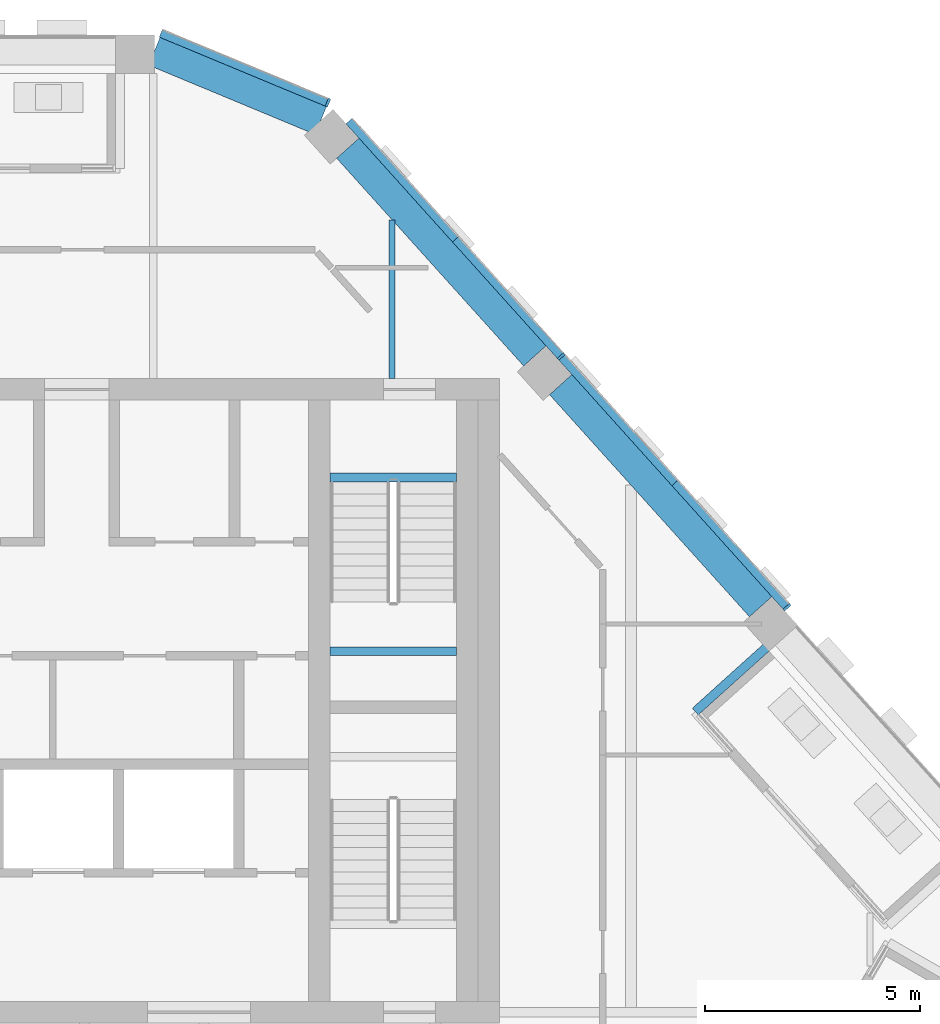
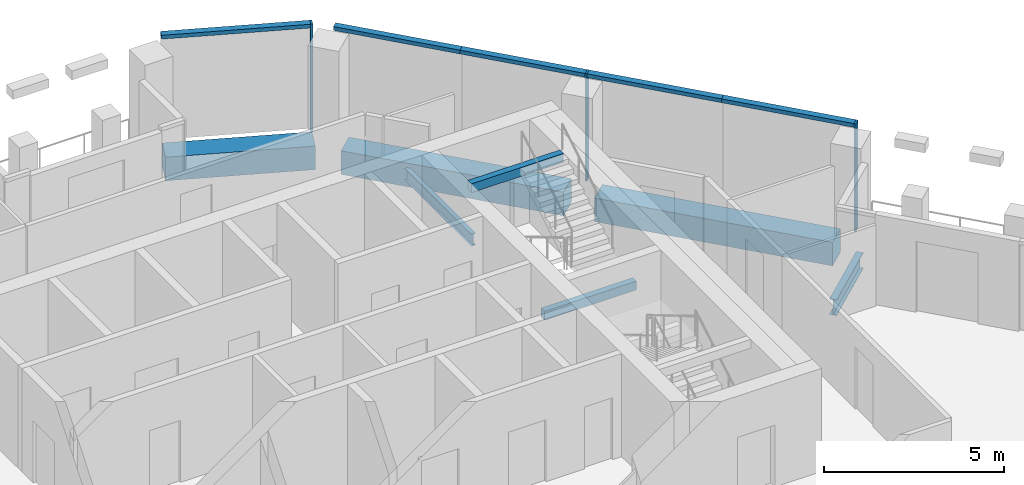
# One storey, part 8 of 22: 8 members, 7 beams, 2 elements without a shape of their own.
"""IFC4 building model written with IfcOpenShell, lengths in metres."""

import ifcopenshell
import ifcopenshell.guid

model = None  # the IFC model being written
_history = None  # IfcOwnerHistory: only IFC2X3 demands one
_inside = {}  # id of a spatial element -> (the spatial element, [elements in it])
_under = {}  # id of a project, library or spatial element -> (it, [spatial elements below it])
_declared = {}  # id of a project -> (the project, [libraries it declares])
_typed = {}  # id of a type object -> (the type object, [elements of that type])
_made_of = {}  # id of a material, layer set ... -> (it, [elements and type objects made of it])


def new_model(schema):
    """Start an empty IFC model of exactly this schema.

    Asked for "IFC4X3", IfcOpenShell would pick the latest addendum, in which some entities
    have other attributes; the version numbers below select the first issue.
    IFC2X3 requires an IfcOwnerHistory on every rooted entity: one is made here for all.
    """
    global model, _history
    if schema == "IFC4X3":
        model = ifcopenshell.file(schema_version=(4, 3, 0, 0))
    else:
        model = ifcopenshell.file(schema=schema)
    _inside.clear()
    _under.clear()
    _declared.clear()
    _typed.clear()
    _made_of.clear()
    _history = None
    if model.schema == "IFC2X3":
        org = make("IfcOrganization", Name="unknown")
        user = make(
            "IfcPersonAndOrganization",
            ThePerson=make("IfcPerson", FamilyName="unknown"),
            TheOrganization=org,
        )
        app = make(
            "IfcApplication",
            ApplicationDeveloper=org,
            Version="unknown",
            ApplicationFullName="unknown",
            ApplicationIdentifier="unknown",
        )
        _history = make(
            "IfcOwnerHistory",
            OwningUser=user,
            OwningApplication=app,
            ChangeAction="ADDED",
            CreationDate=0,
        )
    return model


def make(cls, **values):
    """One entity of the class cls with the attributes given. An attribute that is None is left unset."""
    return model.create_entity(
        cls, **{name: value for name, value in values.items() if value is not None}
    )


def rooted(cls, **values):
    """An entity with a GlobalId (a new one), such as an element, a storey or a relation."""
    return make(cls, GlobalId=ifcopenshell.guid.new(), OwnerHistory=_history, **values)


def si_unit(unit_type, name, prefix=None):
    """IfcSIUnit, for example si_unit("LENGTHUNIT", "METRE", prefix="MILLI")."""
    return make("IfcSIUnit", UnitType=unit_type, Prefix=prefix, Name=name)


def assignment(units):
    """IfcUnitAssignment: the units of a project."""
    return None if units is None else make("IfcUnitAssignment", Units=units)


def point(xyz):
    """IfcCartesianPoint."""
    return None if xyz is None else make("IfcCartesianPoint", Coordinates=xyz)


def direction(xyz):
    """IfcDirection."""
    return None if xyz is None else make("IfcDirection", DirectionRatios=xyz)


def frame(location, z_axis=None, x_axis=None):
    """IfcAxis2Placement3D, a coordinate frame: its origin and axes. An axis left out is left unset."""
    return make(
        "IfcAxis2Placement3D",
        Location=point(location),
        Axis=direction(z_axis),
        RefDirection=direction(x_axis),
    )


def frame_2d(location, x_axis=None):
    """IfcAxis2Placement2D, a coordinate frame in the plane: its origin and x axis."""
    return make(
        "IfcAxis2Placement2D", Location=point(location), RefDirection=direction(x_axis)
    )


def origin():
    """The frame at (0, 0, 0) with its axes left unset."""
    return frame((0.0, 0.0, 0.0))


def origin_2d():
    """The frame at (0, 0) in the plane with its x axis left unset."""
    return frame_2d((0.0, 0.0))


def place(relative_to, where):
    """IfcLocalPlacement: puts the frame where relative to a parent placement (None: the world)."""
    return make(
        "IfcLocalPlacement", PlacementRelTo=relative_to, RelativePlacement=where
    )


def context(
    kind, dimensions, precision=None, world=None, true_north=None, identifier=None
):
    """IfcGeometricRepresentationContext, for example the 3D "Model" context."""
    return make(
        "IfcGeometricRepresentationContext",
        ContextIdentifier=identifier,
        ContextType=kind,
        CoordinateSpaceDimension=dimensions,
        Precision=precision,
        WorldCoordinateSystem=world,
        TrueNorth=true_north,
    )


def subcontext(parent, identifier, kind, view, scale=None):
    """IfcGeometricRepresentationSubContext, for example "Body" below "Model"."""
    return make(
        "IfcGeometricRepresentationSubContext",
        ContextIdentifier=identifier,
        ContextType=kind,
        ParentContext=parent,
        TargetScale=scale,
        TargetView=view,
    )


def project(units=None, contexts=None):
    """IfcProject with its units and contexts."""
    return rooted(
        "IfcProject",
        Name="project",
        RepresentationContexts=contexts,
        UnitsInContext=assignment(units),
    )


def spatial(cls, under=None, at=None, **own):
    """A site, building, storey or space (cls), placed at a placement, below another one or the project."""
    s = rooted(cls, ObjectPlacement=at, **own)
    if under is not None:
        _under.setdefault(under.id(), (under, []))[1].append(s)
    return s


def profile(cls, at=None, kind="AREA", **sizes):
    """A parametric profile (cls). Its sizes go by their IFC names, for example OverallWidth=200.0."""
    return make(cls, ProfileType=kind, Position=at, **sizes)


def rectangle(**sizes):
    """IfcRectangleProfileDef."""
    return profile("IfcRectangleProfileDef", **sizes)


def i_section(**sizes):
    """IfcIShapeProfileDef."""
    return profile("IfcIShapeProfileDef", **sizes)


def extrude(swept, where, along, depth):
    """IfcExtrudedAreaSolid: the profile swept, set in the frame where, extruded along a direction by depth."""
    return make(
        "IfcExtrudedAreaSolid",
        SweptArea=swept,
        Position=where,
        ExtrudedDirection=direction(along),
        Depth=depth,
    )


def shape(context_of_items, identifier, shape_type, items):
    """IfcShapeRepresentation: the items that make up one representation, for example the "Body"."""
    return make(
        "IfcShapeRepresentation",
        ContextOfItems=context_of_items,
        RepresentationIdentifier=identifier,
        RepresentationType=shape_type,
        Items=items,
    )


def material(Name=None, Category=None):
    """IfcMaterial."""
    return make("IfcMaterial", Name=Name, Category=Category)


def layer(
    of_material, thickness, ventilated=None, Name=None, Category=None, Priority=None
):
    """IfcMaterialLayer: one layer of a wall or slab, of a material (None: an air gap)."""
    return make(
        "IfcMaterialLayer",
        Material=of_material,
        LayerThickness=thickness,
        IsVentilated=ventilated,
        Name=Name,
        Category=Category,
        Priority=Priority,
    )


def layer_set(layers, Name=None):
    """IfcMaterialLayerSet."""
    return make("IfcMaterialLayerSet", MaterialLayers=layers, LayerSetName=Name)


def material_profile(
    of_material, cross_section, Name=None, Category=None, Priority=None
):
    """IfcMaterialProfile: a cross section and its material."""
    return make(
        "IfcMaterialProfile",
        Name=Name,
        Material=of_material,
        Profile=cross_section,
        Priority=Priority,
        Category=Category,
    )


def profile_set(profiles, Name=None, composite=None):
    """IfcMaterialProfileSet."""
    return make(
        "IfcMaterialProfileSet",
        Name=Name,
        MaterialProfiles=profiles,
        CompositeProfile=composite,
    )


def made_of(thing, what):
    """Note that an element or type object is made of a material, layer set ...; save() writes the relation."""
    if what is not None:
        _made_of.setdefault(what.id(), (what, []))[1].append(thing)
    return thing


def type_object(cls, material=None, **own):
    """A type object (cls), such as IfcWallType, which elements share."""
    return made_of(rooted(cls, **own), material)


def element(
    cls,
    number,
    at=None,
    inside=None,
    cuts=None,
    type_object=None,
    material=None,
    context=None,
    identifier="Body",
    shape_type=None,
    held_by="IfcProductDefinitionShape",
    body=None,
    shapes=None,
    **own,
):
    """One element of the class cls, such as IfcWall. Its Tag is "e" and its number.

    at: its placement. inside: the storey or other place that contains it. cuts: it is an
    opening in that element (IfcRelVoidsElement). A single representation is given by context,
    identifier, shape_type and body (its items); several are given by shapes. held_by: the class
    of the entity that holds the representations. save() writes the other relations.
    """
    e = rooted(cls, Tag="e%d" % number, ObjectPlacement=at, **own)
    if body is not None:
        shapes = [shape(context, identifier, shape_type, body)]
    if shapes is not None:
        e.Representation = make(held_by, Representations=shapes)
    if inside is not None:
        _inside.setdefault(inside.id(), (inside, []))[1].append(e)
    if cuts is not None:
        rooted(
            "IfcRelVoidsElement", RelatingBuildingElement=cuts, RelatedOpeningElement=e
        )
    if type_object is not None:
        _typed.setdefault(type_object.id(), (type_object, []))[1].append(e)
    return made_of(e, material)


def aggregate(whole, parts):
    """IfcRelAggregates: a whole, such as a stair, and the parts it consists of."""
    return rooted("IfcRelAggregates", RelatingObject=whole, RelatedObjects=parts)


def save(model, path):
    """Write the relations noted so far, then the file.

    IfcRelAggregates (storeys below a building ...), IfcRelContainedInSpatialStructure (elements
    in a storey), IfcRelDefinesByType, IfcRelAssociatesMaterial and IfcRelDeclares: one each for
    every whole, place, type object, material and project.
    """
    for whole, parts in _under.values():
        aggregate(whole, parts)
    for where, things in _inside.values():
        rooted(
            "IfcRelContainedInSpatialStructure",
            RelatedElements=things,
            RelatingStructure=where,
        )
    for kind, things in _typed.values():
        rooted("IfcRelDefinesByType", RelatedObjects=things, RelatingType=kind)
    for what, things in _made_of.values():
        rooted("IfcRelAssociatesMaterial", RelatedObjects=things, RelatingMaterial=what)
    for by, libraries in _declared.values():
        rooted("IfcRelDeclares", RelatingContext=by, RelatedDefinitions=libraries)
    model.write(path)


model = new_model("IFC4")

# Units and contexts
model_context = context("Model", 3, precision=1e-05, world=origin(), true_north=direction((0.0, 1.0)))
body_context = subcontext(model_context, "Body", "Model", "MODEL_VIEW")
ifc_project = project(units=[si_unit("LENGTHUNIT", "METRE"), si_unit("AREAUNIT", "SQUARE_METRE"), si_unit("VOLUMEUNIT", "CUBIC_METRE"), si_unit("PLANEANGLEUNIT", "RADIAN"), si_unit("MASSUNIT", "GRAM", prefix="KILO")], contexts=[model_context])

# Site, building, storey
site_placement = place(None, origin())
site = spatial("IfcSite", under=ifc_project, at=site_placement, CompositionType="ELEMENT")
building_placement = place(site_placement, origin())
building = spatial("IfcBuilding", under=site, at=building_placement, Name="Isthmus Gate Tower", CompositionType="ELEMENT")
storey_placement = place(building_placement, frame((0.0, 0.0, 264.60009765625)))
storey = spatial("IfcBuildingStorey", under=building, at=storey_placement, Name="L67", CompositionType="ELEMENT", Elevation=264.60009765625)

# Curtain wall, members
ifc_material_1 = material(Name="Aluminium, pale champagne anodised", Category="aluminium")
ifc_layer = layer(ifc_material_1, 0.199951171875)
ifc_layer_set = layer_set([ifc_layer], Name="CW-1 UNITISED CURTAIN WALL 200 DEEP")
curtain_wall_type = type_object("IfcCurtainWallType", Name="CW-1 UNITISED CURTAIN WALL 200 DEEP", PredefinedType="NOTDEFINED", material=ifc_layer_set)
curtain_wall_1_placement = place(storey_placement, origin())
curtain_wall_1 = element("IfcCurtainWall", 1, at=curtain_wall_1_placement, inside=storey, type_object=curtain_wall_type, Name="CW-1 NE L67", PredefinedType="NOTDEFINED")
ifc_material_2 = material(Name="Aluminium, pale champagne anodised", Category="aluminium")
ifc_material_profile_1 = material_profile(ifc_material_2, rectangle(XDim=0.06005859375, YDim=0.199951171875, at=origin_2d()), Name="60x200")
ifc_profile_set_1 = profile_set([ifc_material_profile_1], Name="Aluminium, pale champagne anodised")
member_type_1 = type_object("IfcMemberType", Name="CW-1 MULLION 60 X 200", PredefinedType="MULLION", material=ifc_profile_set_1)
member_1_placement = place(storey_placement, frame((21.69140625, 9.680419921875, 0.0), z_axis=(0.0, 0.0, 1.0), x_axis=(-0.669130606359, 0.743144825477, 0.0)))
member_1 = element("IfcMember", 2, at=member_1_placement, type_object=member_type_1, Name="CW-1 mullion", PredefinedType="MULLION", context=body_context, shape_type="SweptSolid", body=[
    extrude(rectangle(XDim=0.06005859375, YDim=0.199951171875, at=origin_2d()), origin(), (0.0, 0.0, 1.0), 3.64990234375),
])
member_2_placement = place(storey_placement, frame((16.43408203125, 15.519287109375, 0.0), z_axis=(0.0, 0.0, 1.0), x_axis=(-0.669130606359, 0.743144825477, 0.0)))
member_2 = element("IfcMember", 3, at=member_2_placement, type_object=member_type_1, Name="CW-1 mullion", PredefinedType="MULLION", context=body_context, shape_type="SweptSolid", body=[
    extrude(rectangle(XDim=0.06005859375, YDim=0.199951171875, at=origin_2d()), origin(), (0.0, 0.0, 1.0), 3.64990234375),
])

# Curtain wall, member
curtain_wall_2_placement = place(storey_placement, origin())
curtain_wall_2 = element("IfcCurtainWall", 4, at=curtain_wall_2_placement, inside=storey, type_object=curtain_wall_type, Name="CW-1 NE-N L67", PredefinedType="NOTDEFINED")
member_3_placement = place(storey_placement, frame((11.001708984375, 21.427490234375, 0.0), z_axis=(0.0, 0.0, 1.0), x_axis=(-0.923353128387, 0.383951820282, 0.0)))
member_3 = element("IfcMember", 5, at=member_3_placement, type_object=member_type_1, Name="CW-1 mullion", PredefinedType="MULLION", context=body_context, shape_type="SweptSolid", body=[
    extrude(rectangle(XDim=0.06005859375, YDim=0.199951171875, at=origin_2d()), origin(), (0.0, 0.0, 1.0), 3.64990234375),
])

# Member
ifc_material_3 = material(Name="Aluminium, pale champagne anodised", Category="aluminium")
ifc_material_profile_2 = material_profile(ifc_material_3, rectangle(XDim=0.199951171875, YDim=0.1298828125, at=origin_2d()), Name="200x130")
ifc_profile_set_2 = profile_set([ifc_material_profile_2], Name="Aluminium, pale champagne anodised")
member_type_2 = type_object("IfcMemberType", Name="CW-1 TRANSOM 200 X 130", PredefinedType="USERDEFINED", material=ifc_profile_set_2)
member_4_placement = place(storey_placement, frame((21.67138671875, 9.702880859375, 3.5849609375), z_axis=(-0.669156480406, 0.743121527565, 0.0), x_axis=(-0.743121527565, -0.669156480406, 0.0)))
member_4 = element("IfcMember", 6, at=member_4_placement, type_object=member_type_2, Name="CW-1 transom", ObjectType="TRANSOM", PredefinedType="USERDEFINED", context=body_context, shape_type="SweptSolid", body=[
    extrude(rectangle(XDim=0.199951171875, YDim=0.1298828125, at=origin_2d()), origin(), (0.0, 0.0, 1.0), 3.868408203125),
])

member_5_placement = place(storey_placement, frame((19.082763671875, 12.57763671875, 3.5849609375), z_axis=(-0.669095199697, 0.743176704252, 0.0), x_axis=(-0.743176704252, -0.669095199697, 0.0)))
member_5 = element("IfcMember", 7, at=member_5_placement, type_object=member_type_2, Name="CW-1 transom", ObjectType="TRANSOM", PredefinedType="USERDEFINED", context=body_context, shape_type="SweptSolid", body=[
    extrude(rectangle(XDim=0.199951171875, YDim=0.1298828125, at=origin_2d()), origin(), (0.0, 0.0, 1.0), 3.92822265625),
])

member_6_placement = place(storey_placement, frame((16.4140625, 15.54150390625, 3.5849609375), z_axis=(-0.669116497993, 0.743157528464, 0.0), x_axis=(-0.743157528464, -0.669116497993, 0.0)))
member_6 = element("IfcMember", 8, at=member_6_placement, type_object=member_type_2, Name="CW-1 transom", ObjectType="TRANSOM", PredefinedType="USERDEFINED", context=body_context, shape_type="SweptSolid", body=[
    extrude(rectangle(XDim=0.199951171875, YDim=0.1298828125, at=origin_2d()), origin(), (0.0, 0.0, 1.0), 3.6435546875),
])

member_7_placement = place(storey_placement, frame((13.97607421875, 18.249267578125, 3.5849609375), z_axis=(-0.669154112043, 0.743123660192, 0.0), x_axis=(-0.743123660192, -0.669154112043, 0.0)))
member_7 = element("IfcMember", 9, at=member_7_placement, type_object=member_type_2, Name="CW-1 transom", ObjectType="TRANSOM", PredefinedType="USERDEFINED", context=body_context, shape_type="SweptSolid", body=[
    extrude(rectangle(XDim=0.199951171875, YDim=0.1298828125, at=origin_2d()), origin(), (0.0, 0.0, 1.0), 3.703125),
])

aggregate(curtain_wall_1, [member_1, member_4, member_5, member_2, member_6, member_7])

member_8_placement = place(storey_placement, frame((10.97412109375, 21.43896484375, 3.5849609375), z_axis=(-0.923358236369, 0.383939536033, 0.0), x_axis=(-0.383939536033, -0.923358236369, 0.0)))
member_8 = element("IfcMember", 10, at=member_8_placement, type_object=member_type_2, Name="CW-1 transom", ObjectType="TRANSOM", PredefinedType="USERDEFINED", context=body_context, shape_type="SweptSolid", body=[
    extrude(rectangle(XDim=0.199951171875, YDim=0.1298828125, at=origin_2d()), origin(), (0.0, 0.0, 1.0), 4.181640625),
])

aggregate(curtain_wall_2, [member_3, member_8])

# Beams
ifc_material_4 = material(Name="Concrete f'c 50 MPa", Category="concrete")
ifc_material_profile_3 = material_profile(ifc_material_4, rectangle(XDim=0.699951171875, YDim=0.800048828125, at=origin_2d()), Name="RC 700X800")
ifc_profile_set_3 = profile_set([ifc_material_profile_3], Name="Concrete f'c 50 MPa")
beam_type_1 = type_object("IfcBeamType", Name="RC SPANDREL 700 X 800", PredefinedType="SPANDREL", material=ifc_profile_set_3)
beam_1_placement = place(storey_placement, frame((6.95947265625, 22.620849609375, -0.400146484375), z_axis=(0.923360646135, -0.383933740597, 0.0), x_axis=(0.383933740597, 0.923360646135, 0.0)))
element("IfcBeam", 11, at=beam_1_placement, inside=storey, type_object=beam_type_1, Name="str-spandrel-L67-00", PredefinedType="SPANDREL", context=body_context, shape_type="SweptSolid", body=[
    extrude(rectangle(XDim=0.699951171875, YDim=0.800048828125, at=origin_2d()), origin(), (0.0, 0.0, 1.0), 4.19677734375),
])
beam_2_placement = place(storey_placement, frame((11.46484375, 20.36572265625, -0.400146484375), z_axis=(0.669122265754, -0.743152335307, 0.0), x_axis=(0.743152335307, 0.669122265754, 0.0)))
element("IfcBeam", 12, at=beam_2_placement, inside=storey, type_object=beam_type_1, Name="str-spandrel-L67-01", PredefinedType="SPANDREL", context=body_context, shape_type="SweptSolid", body=[
    extrude(rectangle(XDim=0.699951171875, YDim=0.800048828125, at=origin_2d()), origin(), (0.0, 0.0, 1.0), 6.506591796875),
])
beam_3_placement = place(storey_placement, frame((16.4208984375, 14.861572265625, -0.400146484375), z_axis=(0.669131458307, -0.743144058379, 0.0), x_axis=(0.743144058379, 0.669131458307, 0.0)))
element("IfcBeam", 13, at=beam_3_placement, inside=storey, type_object=beam_type_1, Name="str-spandrel-L67-02", PredefinedType="SPANDREL", context=body_context, shape_type="SweptSolid", body=[
    extrude(rectangle(XDim=0.699951171875, YDim=0.800048828125, at=origin_2d()), origin(), (0.0, 0.0, 1.0), 6.956787109375),
])
ifc_material_5 = material(Name="Concrete f'c 40 MPa", Category="concrete")
ifc_material_profile_4 = material_profile(ifc_material_5, rectangle(XDim=0.199951171875, YDim=0.300048828125, at=origin_2d()), Name="STAIR LANDING BEAM RC 200 X 300")
ifc_profile_set_4 = profile_set([ifc_material_profile_4], Name="Concrete f'c 40 MPa")
beam_type_2 = type_object("IfcBeamType", Name="STAIR LANDING BEAM RC 200 X 300", PredefinedType="BEAM", material=ifc_profile_set_4)
for number, where, z_axis, x_axis, name in (
    (14, (11.050048828125, 8.64990234375, 1.474853515625), (1.0, 0.0, 0.0), (0.0, 1.0, 0.0), "L67 ST2 landing beam 1"),
    (15, (11.050048828125, 12.7001953125, 3.349853515625), (1.0, 0.0, 0.0), (0.0, 1.0, 0.0), "L67 ST2 floor-edge seat beam"),
):
    element("IfcBeam", number, at=place(storey_placement, frame(where, z_axis=z_axis, x_axis=x_axis)), inside=storey, type_object=beam_type_2, Name=name, PredefinedType="BEAM", context=body_context, shape_type="SweptSolid", body=[
        extrude(rectangle(XDim=0.199951171875, YDim=0.300048828125, at=origin_2d()), origin(), (0.0, 0.0, 1.0), 2.949951171875),
    ])
ifc_material_6 = material(Name="Structural steel ASTM A992 Gr 50", Category="steel")
ifc_material_profile_5 = material_profile(ifc_material_6, i_section(OverallWidth=0.1396484375, OverallDepth=0.4033203125, WebThickness=0.00634765625, FlangeThickness=0.010986328125, at=origin_2d()), Name="W16X31")
ifc_profile_set_5 = profile_set([ifc_material_profile_5], Name="Structural steel ASTM A992 Gr 50")
beam_type_3 = type_object("IfcBeamType", Name="STEEL FLOOR BEAM W16X31", PredefinedType="JOIST", material=ifc_profile_set_5)
beam_4_placement = place(storey_placement, frame((12.49560546875, 15.0, -0.351806640625), z_axis=(0.0, 1.0, 0.0), x_axis=(-1.0, 0.0, 0.0)))
element("IfcBeam", 16, at=beam_4_placement, inside=storey, type_object=beam_type_3, Name="str-beam-L67-11-05", PredefinedType="JOIST", context=body_context, shape_type="SweptSolid", body=[
    extrude(i_section(OverallWidth=0.1396484375, OverallDepth=0.4033203125, WebThickness=0.00634765625, FlangeThickness=0.010986328125, at=origin_2d()), origin(), (0.0, 0.0, 1.0), 3.69775390625),
])
ifc_material_7 = material(Name="Structural steel ASTM A992 Gr 50", Category="steel")
ifc_material_profile_6 = material_profile(ifc_material_7, i_section(OverallWidth=0.20947265625, OverallDepth=0.533447265625, WebThickness=0.009521484375, FlangeThickness=0.015869140625, at=origin_2d()), Name="W21X62")
ifc_profile_set_6 = profile_set([ifc_material_profile_6], Name="Structural steel ASTM A992 Gr 50")
beam_type_4 = type_object("IfcBeamType", Name="STEEL TRIMMER W21X62", PredefinedType="BEAM", material=ifc_profile_set_6)
beam_5_placement = place(storey_placement, frame((21.347900390625, 8.866455078125, -0.416748046875), z_axis=(-0.743148311246, -0.669126735, 0.0), x_axis=(0.669126735, -0.743148311246, 0.0)))
element("IfcBeam", 17, at=beam_5_placement, inside=storey, type_object=beam_type_4, Name="str-loggiatrim-L67-05-C", PredefinedType="BEAM", context=body_context, shape_type="SweptSolid", body=[
    extrude(i_section(OverallWidth=0.20947265625, OverallDepth=0.533447265625, WebThickness=0.009521484375, FlangeThickness=0.015869140625, at=origin_2d()), origin(), (0.0, 0.0, 1.0), 2.414306640625),
])

save(model, "model.ifc")
